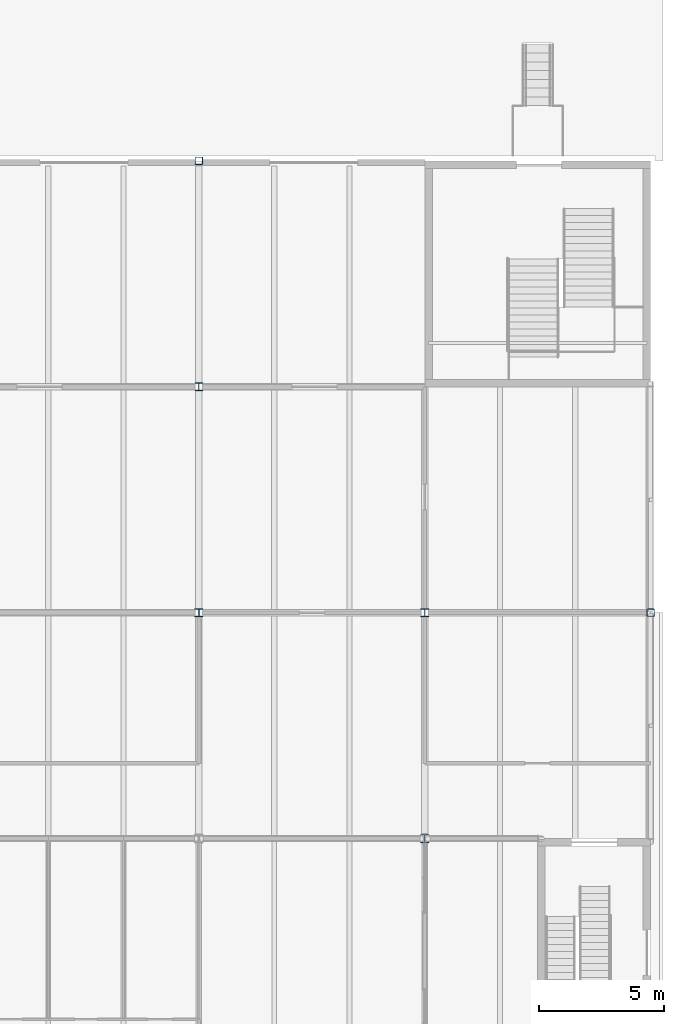
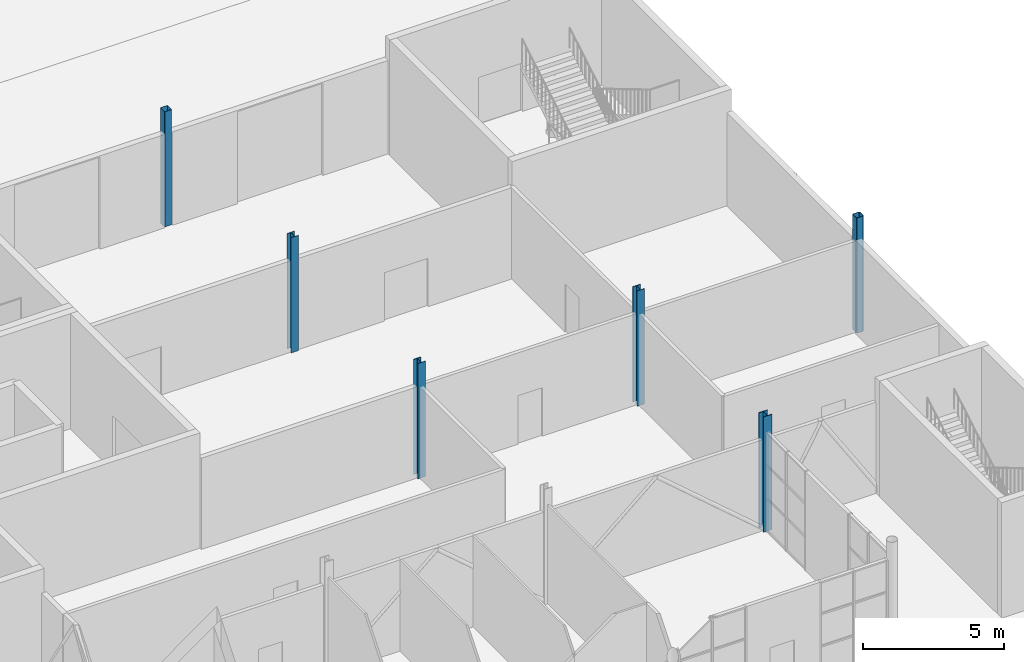
# One storey, part 9 of 63: 6 columns.
"""IFC4 building model written with IfcOpenShell, lengths in metres."""

from ifc_helpers import new_model, si_unit, direction, frame, origin, origin_2d, place, context, subcontext, project, spatial, hollow_rectangle, i_section, extrude, material, material_profile, profile_set, type_object, element, save


model = new_model("IFC4")

# Units and contexts
model_context = context("Model", 3, precision=1e-05, world=origin(), true_north=direction((0.0, 1.0)))
body_context = subcontext(model_context, "Body", "Model", "MODEL_VIEW")
ifc_project = project(units=[si_unit("LENGTHUNIT", "METRE"), si_unit("AREAUNIT", "SQUARE_METRE"), si_unit("VOLUMEUNIT", "CUBIC_METRE"), si_unit("PLANEANGLEUNIT", "RADIAN"), si_unit("MASSUNIT", "GRAM", prefix="KILO")], contexts=[model_context])

# Site, building, storey
site_placement = place(None, origin())
site = spatial("IfcSite", under=ifc_project, at=site_placement, CompositionType="ELEMENT")
building_placement = place(site_placement, origin())
building = spatial("IfcBuilding", under=site, at=building_placement, Name="Halyard Row Museum", CompositionType="ELEMENT")
storey_placement = place(building_placement, origin())
storey = spatial("IfcBuildingStorey", under=building, at=storey_placement, Name="L00", CompositionType="ELEMENT", Elevation=0.0)

# Columns
ifc_material_1 = material(Name="Steel Grade C350L0", Category="steel")
ifc_material_profile_1 = material_profile(ifc_material_1, hollow_rectangle(XDim=0.300048828125, YDim=0.300048828125, WallThickness=0.010009765625, InnerFilletRadius=0.014892578125, OuterFilletRadius=0.02490234375, at=origin_2d()), Name="300x300x10.0SHS")
ifc_profile_set_1 = profile_set([ifc_material_profile_1], Name="Steel Grade C350L0")
column_type_1 = type_object("IfcColumnType", Name="Column 300x300x10.0SHS edge", PredefinedType="COLUMN", material=ifc_profile_set_1)
column_1_placement = place(storey_placement, frame((90.0, 63.0, 0.0), z_axis=(0.0, 0.0, 1.0), x_axis=(1.0, 0.0, 0.0)))
element("IfcColumn", 1, at=column_1_placement, inside=storey, type_object=column_type_1, Name="Column 11H L00", PredefinedType="COLUMN", context=body_context, shape_type="SweptSolid", body=[
    extrude(hollow_rectangle(XDim=0.300048828125, YDim=0.300048828125, WallThickness=0.010009765625, InnerFilletRadius=0.014892578125, OuterFilletRadius=0.02490234375, at=origin_2d()), origin(), (0.0, 0.0, 1.0), 5.0),
])
ifc_material_2 = material(Name="Steel Grade C350L0", Category="steel")
ifc_material_profile_2 = material_profile(ifc_material_2, hollow_rectangle(XDim=0.300048828125, YDim=0.300048828125, WallThickness=0.01611328125, InnerFilletRadius=0.02392578125, OuterFilletRadius=0.0400390625, at=origin_2d()), Name="300x300x16.0SHS")
ifc_profile_set_2 = profile_set([ifc_material_profile_2], Name="Steel Grade C350L0")
column_type_2 = type_object("IfcColumnType", Name="Column 300x300x16.0SHS edge", PredefinedType="COLUMN", material=ifc_profile_set_2)
column_2_placement = place(storey_placement, frame((108.0, 45.0, 0.0), z_axis=(0.0, 0.0, 1.0), x_axis=(1.0, 0.0, 0.0)))
element("IfcColumn", 2, at=column_2_placement, inside=storey, type_object=column_type_2, Name="Column 13F L00", PredefinedType="COLUMN", context=body_context, shape_type="SweptSolid", body=[
    extrude(hollow_rectangle(XDim=0.300048828125, YDim=0.300048828125, WallThickness=0.01611328125, InnerFilletRadius=0.02392578125, OuterFilletRadius=0.0400390625, at=origin_2d()), origin(), (0.0, 0.0, 1.0), 5.0),
])
ifc_material_3 = material(Name="Steel Grade 300", Category="steel")
ifc_material_profile_3 = material_profile(ifc_material_3, i_section(OverallWidth=0.30908203125, OverallDepth=0.320556640625, WebThickness=0.013916015625, FlangeThickness=0.021728515625, FilletRadius=0.0166015625, at=origin_2d()), Name="310UC137")
ifc_profile_set_3 = profile_set([ifc_material_profile_3], Name="Steel Grade 300")
column_type_3 = type_object("IfcColumnType", Name="Column 310UC137 interior", PredefinedType="COLUMN", material=ifc_profile_set_3)
for number, where, z_axis, x_axis, name in (
    (3, (90.0, 45.0, 0.0), (0.0, 0.0, 1.0), (1.0, 0.0, 0.0), "Column 11F L00"),
    (4, (99.0, 45.0, 0.0), (0.0, 0.0, 1.0), (1.0, 0.0, 0.0), "Column 12F L00"),
):
    element("IfcColumn", number, at=place(storey_placement, frame(where, z_axis=z_axis, x_axis=x_axis)), inside=storey, type_object=column_type_3, Name=name, PredefinedType="COLUMN", context=body_context, shape_type="SweptSolid", body=[
        extrude(i_section(OverallWidth=0.30908203125, OverallDepth=0.320556640625, WebThickness=0.013916015625, FlangeThickness=0.021728515625, FilletRadius=0.0166015625, at=origin_2d()), origin(), (0.0, 0.0, 1.0), 5.0),
    ])
ifc_material_4 = material(Name="Steel Grade 300", Category="steel")
ifc_material_profile_4 = material_profile(ifc_material_4, i_section(OverallWidth=0.304931640625, OverallDepth=0.30810546875, WebThickness=0.010009765625, FlangeThickness=0.015380859375, FilletRadius=0.0166015625, at=origin_2d()), Name="310UC96.8")
ifc_profile_set_4 = profile_set([ifc_material_profile_4], Name="Steel Grade 300")
column_type_4 = type_object("IfcColumnType", Name="Column 310UC96.8 interior", PredefinedType="COLUMN", material=ifc_profile_set_4)
column_3_placement = place(storey_placement, frame((90.0, 54.0, 0.0), z_axis=(0.0, 0.0, 1.0), x_axis=(1.0, 0.0, 0.0)))
element("IfcColumn", 5, at=column_3_placement, inside=storey, type_object=column_type_4, Name="Column 11G L00", PredefinedType="COLUMN", context=body_context, shape_type="SweptSolid", body=[
    extrude(i_section(OverallWidth=0.304931640625, OverallDepth=0.30810546875, WebThickness=0.010009765625, FlangeThickness=0.015380859375, FilletRadius=0.0166015625, at=origin_2d()), origin(), (0.0, 0.0, 1.0), 5.0),
])
ifc_material_5 = material(Name="Steel Grade 300", Category="steel")
ifc_material_profile_5 = material_profile(ifc_material_5, i_section(OverallWidth=0.35009765625, OverallDepth=0.339111328125, WebThickness=0.02490234375, FlangeThickness=0.031982421875, at=origin_2d()), Name="350WC230")
ifc_profile_set_5 = profile_set([ifc_material_profile_5], Name="Steel Grade 300")
column_type_5 = type_object("IfcColumnType", Name="Column 350WC230 interior", PredefinedType="COLUMN", material=ifc_profile_set_5)
column_4_placement = place(storey_placement, frame((99.0, 36.0, 0.0), z_axis=(0.0, 0.0, 1.0), x_axis=(1.0, 0.0, 0.0)))
element("IfcColumn", 6, at=column_4_placement, inside=storey, type_object=column_type_5, Name="Column 12E L00", PredefinedType="COLUMN", context=body_context, shape_type="SweptSolid", body=[
    extrude(i_section(OverallWidth=0.35009765625, OverallDepth=0.339111328125, WebThickness=0.02490234375, FlangeThickness=0.031982421875, at=origin_2d()), origin(), (0.0, 0.0, 1.0), 5.0),
])

save(model, "model.ifc")
